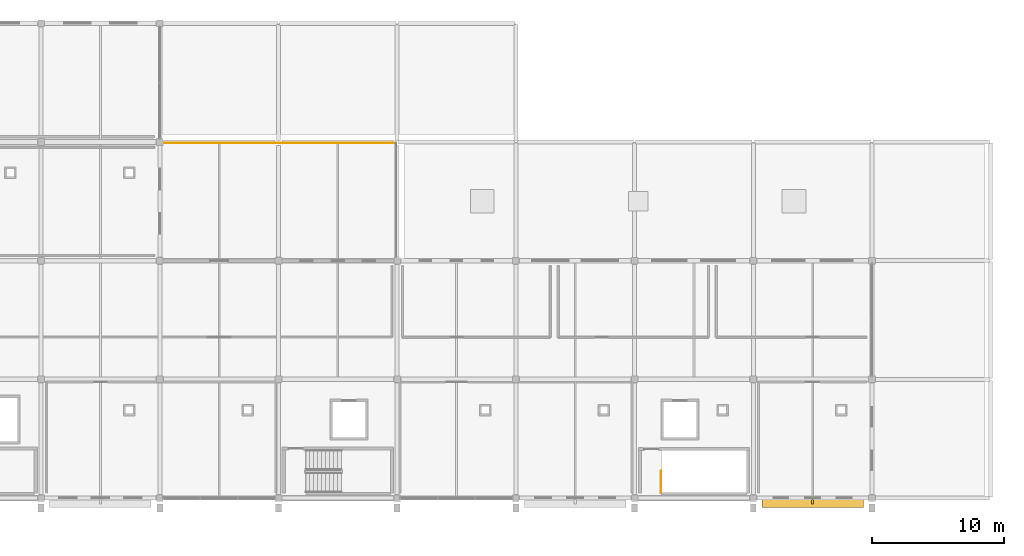
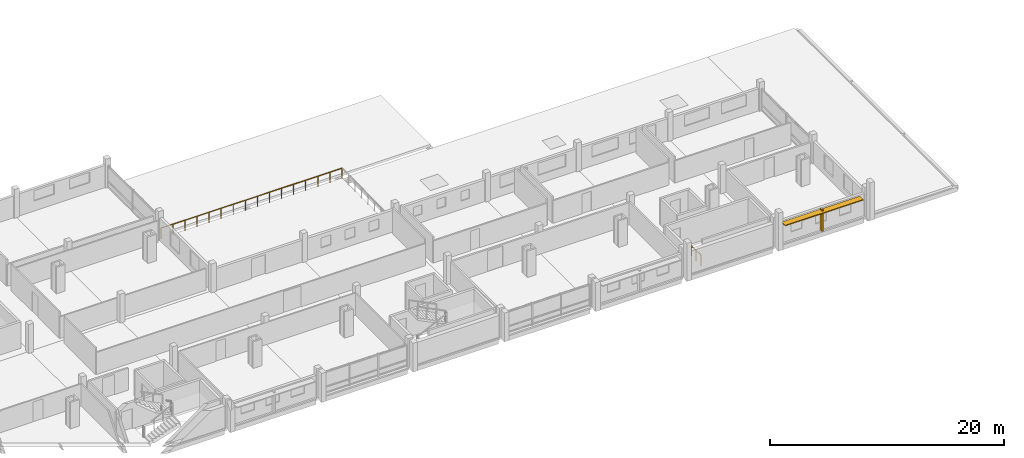
# One storey, part 25 of 25: 2 railings, 2 shading devices.
"""IFC4 building model written with IfcOpenShell, lengths in metres."""

from ifc_helpers import new_model, si_unit, direction, frame, origin, origin_2d, place, context, subcontext, project, spatial, rectangle, circle, extrude, material, layer, layer_set, type_object, element, save


model = new_model("IFC4")

# Units and contexts
model_context = context("Model", 3, precision=1e-05, world=origin(), true_north=direction((0.0, 1.0)))
body_context = subcontext(model_context, "Body", "Model", "MODEL_VIEW")
ifc_project = project(units=[si_unit("LENGTHUNIT", "METRE"), si_unit("AREAUNIT", "SQUARE_METRE"), si_unit("VOLUMEUNIT", "CUBIC_METRE"), si_unit("PLANEANGLEUNIT", "RADIAN"), si_unit("MASSUNIT", "GRAM", prefix="KILO")], contexts=[model_context])

# Site, building, storey
site_placement = place(None, origin())
site = spatial("IfcSite", under=ifc_project, at=site_placement, CompositionType="ELEMENT")
building_placement = place(site_placement, origin())
building = spatial("IfcBuilding", under=site, at=building_placement, Name="Tharagai Park Tramway Depot", CompositionType="ELEMENT")
storey_placement = place(building_placement, frame((0.0, 0.0, 12.0)))
storey = spatial("IfcBuildingStorey", under=building, at=storey_placement, Name="L03", CompositionType="ELEMENT", Elevation=12.0)

# Railings
ifc_material_1 = material(Name="Galvanised steel", Category="steel")
railing_type_1 = type_object("IfcRailingType", Name="GR-01", PredefinedType="BALUSTRADE", material=ifc_material_1)
railing_1_placement = place(storey_placement, frame((27.080078125, 26.919921875, 0.0)))
element("IfcRailing", 1, at=railing_1_placement, inside=storey, type_object=railing_type_1, Name="Canteen Monsoon Terrace Perimeter Guard N", PredefinedType="BALUSTRADE", context=body_context, shape_type="SweptSolid", body=[
    extrude(circle(Radius=0.02392578125, at=origin_2d()), frame((0.0, 0.0, 1.076171875), z_axis=(1.0, 0.0, 0.0), x_axis=(0.0, 1.0, 0.0)), (0.0, 0.0, 1.0), 17.83984375),
    extrude(circle(Radius=0.02099609375, at=origin_2d()), origin(), (0.0, 0.0, 1.0), 1.052001953125),
    extrude(circle(Radius=0.02099609375, at=origin_2d()), frame((1.189208984375, 0.0, 0.0)), (0.0, 0.0, 1.0), 1.052001953125),
    extrude(circle(Radius=0.02099609375, at=origin_2d()), frame((2.378662109375, 0.0, 0.0)), (0.0, 0.0, 1.0), 1.052001953125),
    extrude(circle(Radius=0.02099609375, at=origin_2d()), frame((3.56787109375, 0.0, 0.0)), (0.0, 0.0, 1.0), 1.052001953125),
    extrude(circle(Radius=0.02099609375, at=origin_2d()), frame((4.75732421875, 0.0, 0.0)), (0.0, 0.0, 1.0), 1.052001953125),
    extrude(circle(Radius=0.02099609375, at=origin_2d()), frame((5.946533203125, 0.0, 0.0)), (0.0, 0.0, 1.0), 1.052001953125),
    extrude(circle(Radius=0.02099609375, at=origin_2d()), frame((7.135986328125, 0.0, 0.0)), (0.0, 0.0, 1.0), 1.052001953125),
    extrude(circle(Radius=0.02099609375, at=origin_2d()), frame((8.3251953125, 0.0, 0.0)), (0.0, 0.0, 1.0), 1.052001953125),
    extrude(circle(Radius=0.02099609375, at=origin_2d()), frame((9.5146484375, 0.0, 0.0)), (0.0, 0.0, 1.0), 1.052001953125),
    extrude(circle(Radius=0.02099609375, at=origin_2d()), frame((10.703857421875, 0.0, 0.0)), (0.0, 0.0, 1.0), 1.052001953125),
    extrude(circle(Radius=0.02099609375, at=origin_2d()), frame((11.893310546875, 0.0, 0.0)), (0.0, 0.0, 1.0), 1.052001953125),
    extrude(circle(Radius=0.02099609375, at=origin_2d()), frame((13.08251953125, 0.0, 0.0)), (0.0, 0.0, 1.0), 1.052001953125),
    extrude(circle(Radius=0.02099609375, at=origin_2d()), frame((14.27197265625, 0.0, 0.0)), (0.0, 0.0, 1.0), 1.052001953125),
    extrude(circle(Radius=0.02099609375, at=origin_2d()), frame((15.461181640625, 0.0, 0.0)), (0.0, 0.0, 1.0), 1.052001953125),
    extrude(circle(Radius=0.02099609375, at=origin_2d()), frame((16.650634765625, 0.0, 0.0)), (0.0, 0.0, 1.0), 1.052001953125),
    extrude(circle(Radius=0.02099609375, at=origin_2d()), frame((17.83984375, 0.0, 0.0)), (0.0, 0.0, 1.0), 1.052001953125),
])
railing_type_2 = type_object("IfcRailingType", Name="HR-02", PredefinedType="GUARDRAIL", material=ifc_material_1)
railing_2_placement = place(storey_placement, frame((64.989990234375, 0.39990234375, 0.0)))
element("IfcRailing", 2, at=railing_2_placement, inside=storey, type_object=railing_type_2, Name="L03 ST-04 top well guard 1", PredefinedType="GUARDRAIL", context=body_context, shape_type="SweptSolid", body=[
    extrude(circle(Radius=0.02392578125, at=origin_2d()), frame((0.0, 0.0, 1.076171875), z_axis=(0.0, 1.0, 0.0), x_axis=(-1.0, 0.0, 0.0)), (0.0, 0.0, 1.0), 1.670166015625),
    extrude(circle(Radius=0.02099609375, at=origin_2d()), origin(), (0.0, 0.0, 1.0), 1.052001953125),
    extrude(circle(Radius=0.02099609375, at=origin_2d()), frame((0.0, 0.8349609375, 0.0)), (0.0, 0.0, 1.0), 1.052001953125),
    extrude(circle(Radius=0.02099609375, at=origin_2d()), frame((0.0, 1.670166015625, 0.0)), (0.0, 0.0, 1.0), 1.052001953125),
])

# Shading devices
ifc_material_2 = material(Name="Anodised aluminium", Category="aluminium")
ifc_layer_1 = layer(ifc_material_2, 0.090087890625)
ifc_layer_set_1 = layer_set([ifc_layer_1], Name="Anodised aluminium")
shading_device_type_1 = type_object("IfcShadingDeviceType", Name="SD-01", PredefinedType="SHUTTER", material=ifc_layer_set_1)
shading_device_1_placement = place(storey_placement, frame((76.5, -0.409912109375, 2.0771484375), z_axis=(0.0, 0.0, 1.0), x_axis=(1.0, 0.0, 0.0)))
element("IfcShadingDevice", 3, at=shading_device_1_placement, inside=storey, type_object=shading_device_type_1, Name="Monsoon Storm Louvre Hood SD-01 #72", PredefinedType="SHUTTER", context=body_context, shape_type="SweptSolid", body=[
    extrude(rectangle(XDim=7.7041015625, YDim=0.580078125, at=origin_2d()), origin(), (0.0, 0.0, 1.0), 0.090087890625),
])
ifc_material_3 = material(Name="Charnockite stone", Category="masonry")
ifc_layer_2 = layer(ifc_material_3, 0.159912109375)
ifc_layer_set_2 = layer_set([ifc_layer_2], Name="Charnockite stone")
shading_device_type_2 = type_object("IfcShadingDeviceType", Name="SD-02", PredefinedType="JALOUSIE", material=ifc_layer_set_2)
shading_device_2_placement = place(storey_placement, frame((76.5, -0.27001953125, 0.02978515625), z_axis=(0.0, 0.0, 1.0), x_axis=(1.0, 0.0, 0.0)))
element("IfcShadingDevice", 4, at=shading_device_2_placement, inside=storey, type_object=shading_device_type_2, Name="Charnockite Gothic Lancet Mullion Fin SD-02 #30", PredefinedType="JALOUSIE", context=body_context, shape_type="SweptSolid", body=[
    extrude(rectangle(XDim=0.159912109375, YDim=0.360107421875, at=origin_2d()), origin(), (0.0, 0.0, 1.0), 2.241943359375),
])

save(model, "model.ifc")
